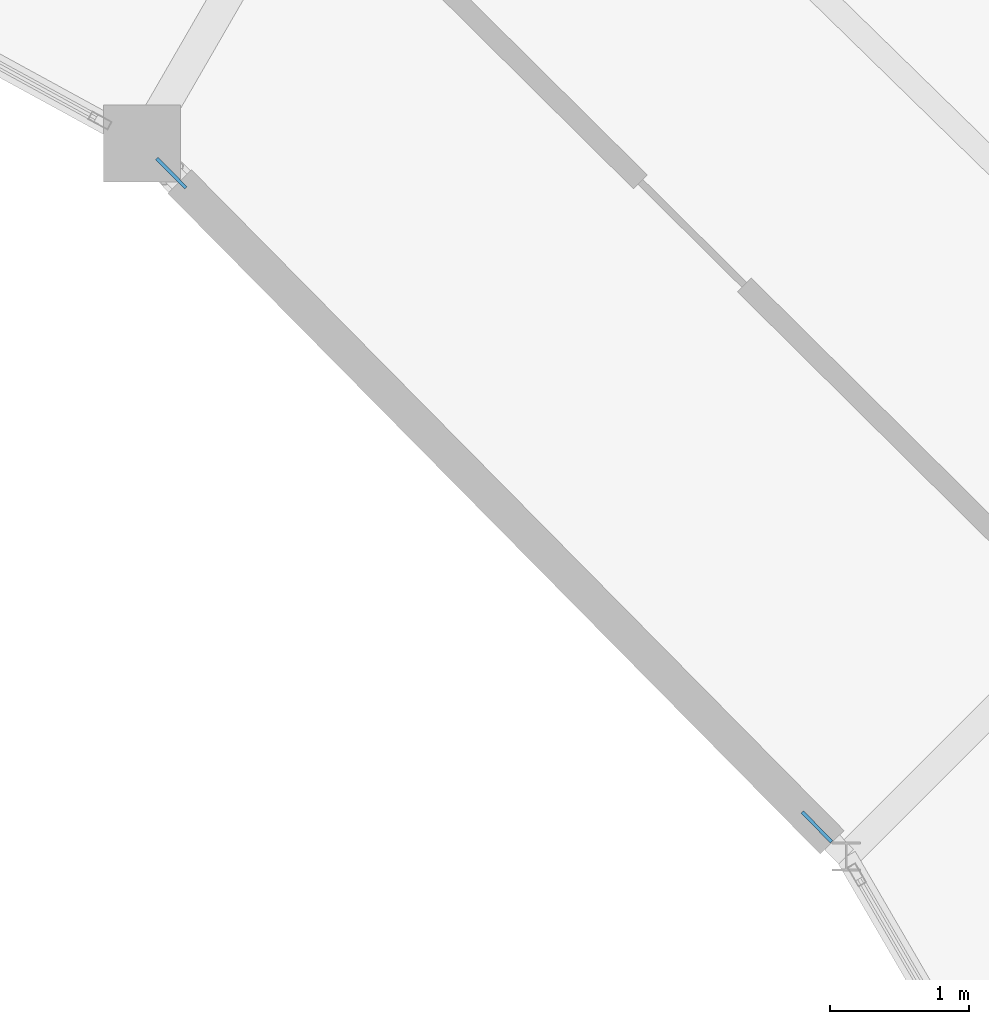
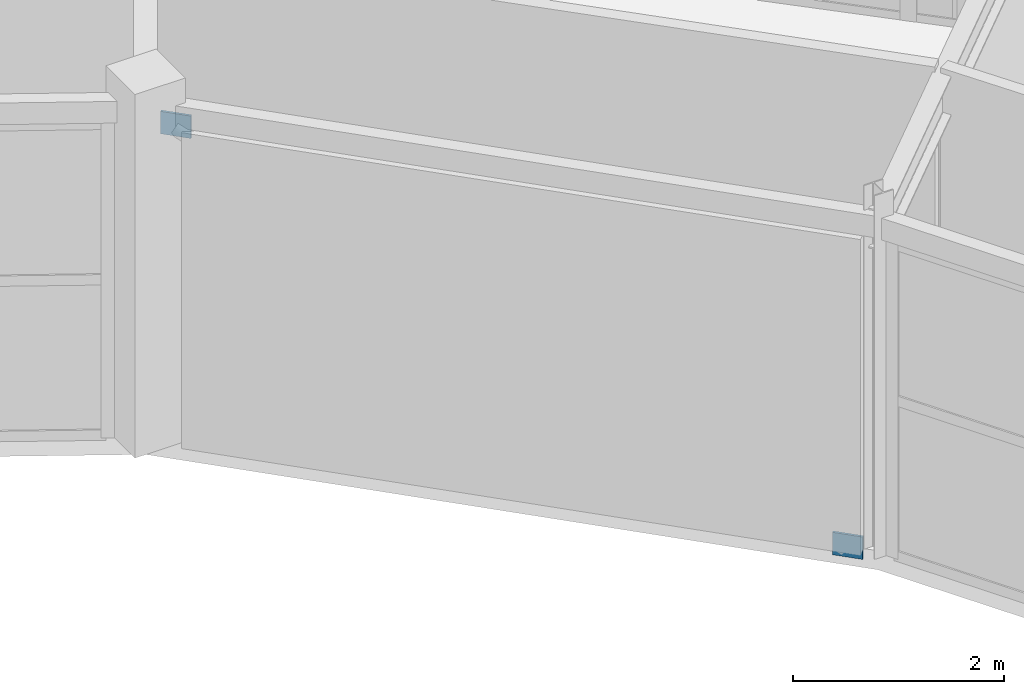
# One storey, part 108 of 130: 2 plates.
"""IFC4 building model written with IfcOpenShell, lengths in metres."""

import ifcopenshell
import ifcopenshell.guid

model = None  # the IFC model being written
_history = None  # IfcOwnerHistory: only IFC2X3 demands one
_inside = {}  # id of a spatial element -> (the spatial element, [elements in it])
_under = {}  # id of a project, library or spatial element -> (it, [spatial elements below it])
_declared = {}  # id of a project -> (the project, [libraries it declares])
_typed = {}  # id of a type object -> (the type object, [elements of that type])
_made_of = {}  # id of a material, layer set ... -> (it, [elements and type objects made of it])


def new_model(schema):
    """Start an empty IFC model of exactly this schema.

    Asked for "IFC4X3", IfcOpenShell would pick the latest addendum, in which some entities
    have other attributes; the version numbers below select the first issue.
    IFC2X3 requires an IfcOwnerHistory on every rooted entity: one is made here for all.
    """
    global model, _history
    if schema == "IFC4X3":
        model = ifcopenshell.file(schema_version=(4, 3, 0, 0))
    else:
        model = ifcopenshell.file(schema=schema)
    _inside.clear()
    _under.clear()
    _declared.clear()
    _typed.clear()
    _made_of.clear()
    _history = None
    if model.schema == "IFC2X3":
        org = make("IfcOrganization", Name="unknown")
        user = make(
            "IfcPersonAndOrganization",
            ThePerson=make("IfcPerson", FamilyName="unknown"),
            TheOrganization=org,
        )
        app = make(
            "IfcApplication",
            ApplicationDeveloper=org,
            Version="unknown",
            ApplicationFullName="unknown",
            ApplicationIdentifier="unknown",
        )
        _history = make(
            "IfcOwnerHistory",
            OwningUser=user,
            OwningApplication=app,
            ChangeAction="ADDED",
            CreationDate=0,
        )
    return model


def make(cls, **values):
    """One entity of the class cls with the attributes given. An attribute that is None is left unset."""
    return model.create_entity(
        cls, **{name: value for name, value in values.items() if value is not None}
    )


def rooted(cls, **values):
    """An entity with a GlobalId (a new one), such as an element, a storey or a relation."""
    return make(cls, GlobalId=ifcopenshell.guid.new(), OwnerHistory=_history, **values)


def si_unit(unit_type, name, prefix=None):
    """IfcSIUnit, for example si_unit("LENGTHUNIT", "METRE", prefix="MILLI")."""
    return make("IfcSIUnit", UnitType=unit_type, Prefix=prefix, Name=name)


def assignment(units):
    """IfcUnitAssignment: the units of a project."""
    return None if units is None else make("IfcUnitAssignment", Units=units)


def point(xyz):
    """IfcCartesianPoint."""
    return None if xyz is None else make("IfcCartesianPoint", Coordinates=xyz)


def direction(xyz):
    """IfcDirection."""
    return None if xyz is None else make("IfcDirection", DirectionRatios=xyz)


def frame(location, z_axis=None, x_axis=None):
    """IfcAxis2Placement3D, a coordinate frame: its origin and axes. An axis left out is left unset."""
    return make(
        "IfcAxis2Placement3D",
        Location=point(location),
        Axis=direction(z_axis),
        RefDirection=direction(x_axis),
    )


def frame_2d(location, x_axis=None):
    """IfcAxis2Placement2D, a coordinate frame in the plane: its origin and x axis."""
    return make(
        "IfcAxis2Placement2D", Location=point(location), RefDirection=direction(x_axis)
    )


def origin():
    """The frame at (0, 0, 0) with its axes left unset."""
    return frame((0.0, 0.0, 0.0))


def origin_2d():
    """The frame at (0, 0) in the plane with its x axis left unset."""
    return frame_2d((0.0, 0.0))


def place(relative_to, where):
    """IfcLocalPlacement: puts the frame where relative to a parent placement (None: the world)."""
    return make(
        "IfcLocalPlacement", PlacementRelTo=relative_to, RelativePlacement=where
    )


def context(
    kind, dimensions, precision=None, world=None, true_north=None, identifier=None
):
    """IfcGeometricRepresentationContext, for example the 3D "Model" context."""
    return make(
        "IfcGeometricRepresentationContext",
        ContextIdentifier=identifier,
        ContextType=kind,
        CoordinateSpaceDimension=dimensions,
        Precision=precision,
        WorldCoordinateSystem=world,
        TrueNorth=true_north,
    )


def subcontext(parent, identifier, kind, view, scale=None):
    """IfcGeometricRepresentationSubContext, for example "Body" below "Model"."""
    return make(
        "IfcGeometricRepresentationSubContext",
        ContextIdentifier=identifier,
        ContextType=kind,
        ParentContext=parent,
        TargetScale=scale,
        TargetView=view,
    )


def project(units=None, contexts=None):
    """IfcProject with its units and contexts."""
    return rooted(
        "IfcProject",
        Name="project",
        RepresentationContexts=contexts,
        UnitsInContext=assignment(units),
    )


def spatial(cls, under=None, at=None, **own):
    """A site, building, storey or space (cls), placed at a placement, below another one or the project."""
    s = rooted(cls, ObjectPlacement=at, **own)
    if under is not None:
        _under.setdefault(under.id(), (under, []))[1].append(s)
    return s


def profile(cls, at=None, kind="AREA", **sizes):
    """A parametric profile (cls). Its sizes go by their IFC names, for example OverallWidth=200.0."""
    return make(cls, ProfileType=kind, Position=at, **sizes)


def rectangle(**sizes):
    """IfcRectangleProfileDef."""
    return profile("IfcRectangleProfileDef", **sizes)


def extrude(swept, where, along, depth):
    """IfcExtrudedAreaSolid: the profile swept, set in the frame where, extruded along a direction by depth."""
    return make(
        "IfcExtrudedAreaSolid",
        SweptArea=swept,
        Position=where,
        ExtrudedDirection=direction(along),
        Depth=depth,
    )


def shape(context_of_items, identifier, shape_type, items):
    """IfcShapeRepresentation: the items that make up one representation, for example the "Body"."""
    return make(
        "IfcShapeRepresentation",
        ContextOfItems=context_of_items,
        RepresentationIdentifier=identifier,
        RepresentationType=shape_type,
        Items=items,
    )


def material(Name=None, Category=None):
    """IfcMaterial."""
    return make("IfcMaterial", Name=Name, Category=Category)


def layer(
    of_material, thickness, ventilated=None, Name=None, Category=None, Priority=None
):
    """IfcMaterialLayer: one layer of a wall or slab, of a material (None: an air gap)."""
    return make(
        "IfcMaterialLayer",
        Material=of_material,
        LayerThickness=thickness,
        IsVentilated=ventilated,
        Name=Name,
        Category=Category,
        Priority=Priority,
    )


def layer_set(layers, Name=None):
    """IfcMaterialLayerSet."""
    return make("IfcMaterialLayerSet", MaterialLayers=layers, LayerSetName=Name)


def made_of(thing, what):
    """Note that an element or type object is made of a material, layer set ...; save() writes the relation."""
    if what is not None:
        _made_of.setdefault(what.id(), (what, []))[1].append(thing)
    return thing


def type_object(cls, material=None, **own):
    """A type object (cls), such as IfcWallType, which elements share."""
    return made_of(rooted(cls, **own), material)


def element(
    cls,
    number,
    at=None,
    inside=None,
    cuts=None,
    type_object=None,
    material=None,
    context=None,
    identifier="Body",
    shape_type=None,
    held_by="IfcProductDefinitionShape",
    body=None,
    shapes=None,
    **own,
):
    """One element of the class cls, such as IfcWall. Its Tag is "e" and its number.

    at: its placement. inside: the storey or other place that contains it. cuts: it is an
    opening in that element (IfcRelVoidsElement). A single representation is given by context,
    identifier, shape_type and body (its items); several are given by shapes. held_by: the class
    of the entity that holds the representations. save() writes the other relations.
    """
    e = rooted(cls, Tag="e%d" % number, ObjectPlacement=at, **own)
    if body is not None:
        shapes = [shape(context, identifier, shape_type, body)]
    if shapes is not None:
        e.Representation = make(held_by, Representations=shapes)
    if inside is not None:
        _inside.setdefault(inside.id(), (inside, []))[1].append(e)
    if cuts is not None:
        rooted(
            "IfcRelVoidsElement", RelatingBuildingElement=cuts, RelatedOpeningElement=e
        )
    if type_object is not None:
        _typed.setdefault(type_object.id(), (type_object, []))[1].append(e)
    return made_of(e, material)


def aggregate(whole, parts):
    """IfcRelAggregates: a whole, such as a stair, and the parts it consists of."""
    return rooted("IfcRelAggregates", RelatingObject=whole, RelatedObjects=parts)


def save(model, path):
    """Write the relations noted so far, then the file.

    IfcRelAggregates (storeys below a building ...), IfcRelContainedInSpatialStructure (elements
    in a storey), IfcRelDefinesByType, IfcRelAssociatesMaterial and IfcRelDeclares: one each for
    every whole, place, type object, material and project.
    """
    for whole, parts in _under.values():
        aggregate(whole, parts)
    for where, things in _inside.values():
        rooted(
            "IfcRelContainedInSpatialStructure",
            RelatedElements=things,
            RelatingStructure=where,
        )
    for kind, things in _typed.values():
        rooted("IfcRelDefinesByType", RelatedObjects=things, RelatingType=kind)
    for what, things in _made_of.values():
        rooted("IfcRelAssociatesMaterial", RelatedObjects=things, RelatingMaterial=what)
    for by, libraries in _declared.values():
        rooted("IfcRelDeclares", RelatingContext=by, RelatedDefinitions=libraries)
    model.write(path)


model = new_model("IFC4")

# Units and contexts
model_context = context("Model", 3, precision=1e-05, world=origin(), true_north=direction((0.0, 1.0)))
body_context = subcontext(model_context, "Body", "Model", "MODEL_VIEW")
ifc_project = project(units=[si_unit("LENGTHUNIT", "METRE"), si_unit("AREAUNIT", "SQUARE_METRE"), si_unit("VOLUMEUNIT", "CUBIC_METRE"), si_unit("PLANEANGLEUNIT", "RADIAN"), si_unit("MASSUNIT", "GRAM", prefix="KILO")], contexts=[model_context])

# Site, building, storey
site_placement = place(None, origin())
site = spatial("IfcSite", under=ifc_project, at=site_placement, CompositionType="ELEMENT")
building_placement = place(site_placement, origin())
building = spatial("IfcBuilding", under=site, at=building_placement, Name="Karori Crest Natural Sciences Institute", CompositionType="ELEMENT")
storey_placement = place(building_placement, frame((0.0, 0.0, 17.5)))
storey = spatial("IfcBuildingStorey", under=building, at=storey_placement, Name="L04", CompositionType="ELEMENT", Elevation=17.5)

# Plates
ifc_material = material(Name="Structural steel AS/NZS 3679.1 Grade 350", Category="steel")
ifc_layer = layer(ifc_material, 0.02490234375, Name="Structural steel AS/NZS 3679.1 Grade 350")
ifc_layer_set = layer_set([ifc_layer], Name="Structural steel AS/NZS 3679.1 Grade 350")
plate_type = type_object("IfcPlateType", Name="PLT-06", PredefinedType="SHEET", material=ifc_layer_set)
for number, where, z_axis, x_axis, name in (
    (1, (83.442626953125, 72.88232421875, -0.11962890625), (0.0, 0.0, 1.0), (-0.702663630174, 0.711522187167, 0.0), "Brace gusset plate EP-0041"),
    (2, (78.810791015625, 77.572509765625, 3.5205078125), (0.0, 0.0, 1.0), (-0.702663630174, 0.711522187167, 0.0), "Brace gusset plate EP-0042"),
):
    element("IfcPlate", number, at=place(storey_placement, frame(where, z_axis=z_axis, x_axis=x_axis)), inside=storey, type_object=plate_type, Name=name, PredefinedType="SHEET", context=body_context, shape_type="SweptSolid", body=[
        extrude(rectangle(XDim=0.299072265625, YDim=0.02490234375, at=origin_2d()), origin(), (0.0, 0.0, 1.0), 0.259033203125),
    ])

save(model, "model.ifc")
